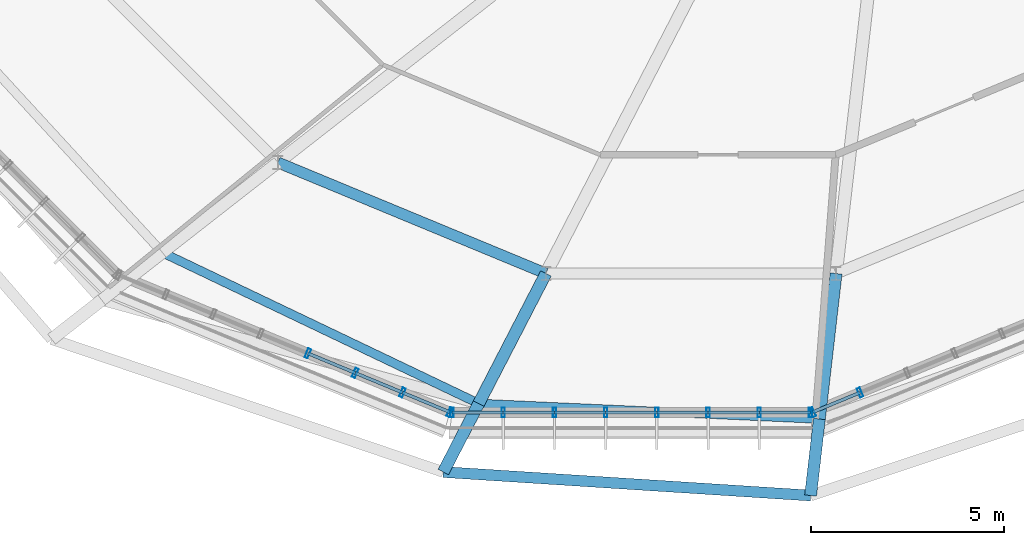
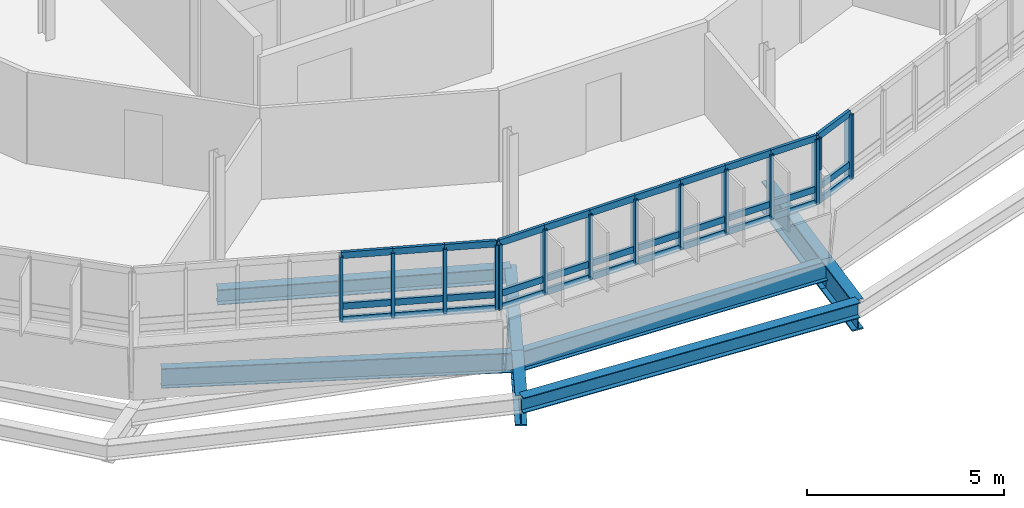
# One storey, part 7 of 31: 47 members, 8 beams, 3 elements without a shape of their own.
"""IFC4 building model written with IfcOpenShell, lengths in metres."""

from ifc_helpers import new_model, si_unit, derived_unit, direction, frame, origin, origin_2d, place, context, subcontext, project, spatial, hollow_rectangle, i_section, extrude, material, layer, layer_set, material_profile, profile_set, type_object, element, aggregate, save


model = new_model("IFC4")

# Units and contexts
model_context = context("Model", 3, precision=1e-05, world=origin(), true_north=direction((0.0, 1.0)))
body_context = subcontext(model_context, "Body", "Model", "MODEL_VIEW")
ifc_project = project(units=[si_unit("LENGTHUNIT", "METRE"), si_unit("AREAUNIT", "SQUARE_METRE"), si_unit("VOLUMEUNIT", "CUBIC_METRE"), si_unit("PLANEANGLEUNIT", "RADIAN"), si_unit("MASSUNIT", "GRAM", prefix="KILO"), derived_unit("THERMALTRANSMITTANCEUNIT", [(si_unit("MASSUNIT", "GRAM", prefix="KILO"), 1), (si_unit("TIMEUNIT", "SECOND"), -3), (si_unit("THERMODYNAMICTEMPERATUREUNIT", "KELVIN"), -1)])], contexts=[model_context])

# Site, building, storey
site_placement = place(None, origin())
site = spatial("IfcSite", under=ifc_project, at=site_placement, CompositionType="ELEMENT")
building_placement = place(site_placement, origin())
building = spatial("IfcBuilding", under=site, at=building_placement, Name="Makaiwela Harbour Ferry Terminal", CompositionType="ELEMENT")
storey_placement = place(building_placement, frame((0.0, 0.0, 21.60009765625)))
storey = spatial("IfcBuildingStorey", under=building, at=storey_placement, Name="L05", CompositionType="ELEMENT", Elevation=21.60009765625)

# Curtain wall, members
ifc_material_1 = material(Name="Marine anodised aluminium 6063-T6", Category="aluminium")
ifc_layer = layer(ifc_material_1, 0.199951171875)
ifc_layer_set = layer_set([ifc_layer], Name="Marine anodised aluminium 6063-T6")
curtain_wall_type = type_object("IfcCurtainWallType", Name="ENV-CW-07", PredefinedType="USERDEFINED", material=ifc_layer_set)
curtain_wall_1_placement = place(storey_placement, origin())
curtain_wall_1 = element("IfcCurtainWall", 1, at=curtain_wall_1_placement, inside=storey, type_object=curtain_wall_type, Name="Unitised Curtain Wall CWA-066", ObjectType="UNITIZED CURTAIN WALL", PredefinedType="USERDEFINED")
ifc_material_profile_1 = material_profile(ifc_material_1, hollow_rectangle(XDim=0.0849609375, YDim=0.25, WallThickness=0.0048828125, at=origin_2d()), Name="CWM-250X85")
ifc_profile_set_1 = profile_set([ifc_material_profile_1], Name="Marine anodised aluminium 6063-T6")
member_type_1 = type_object("IfcMemberType", Name="CW-MUL-250", PredefinedType="MULLION", material=ifc_profile_set_1)
member_1_placement = place(storey_placement, frame((27.156005859375, 47.0986328125, 1.47998046875), z_axis=(0.0, 0.0, 1.0), x_axis=(-0.923879532511, 0.382683432365, 0.0)))
member_1 = element("IfcMember", 2, at=member_1_placement, type_object=member_type_1, Name="Curtain Wall Mullion CWA-066-5", PredefinedType="MULLION", context=body_context, shape_type="SweptSolid", body=[
    extrude(hollow_rectangle(XDim=0.0849609375, YDim=0.25, WallThickness=0.0048828125, at=origin_2d()), origin(), (0.0, 0.0, 1.0), 2.0),
])
member_2_placement = place(storey_placement, frame((28.384033203125, 46.590087890625, 1.47998046875), z_axis=(0.0, 0.0, 1.0), x_axis=(-0.923879532511, 0.382683432365, 0.0)))
member_2 = element("IfcMember", 3, at=member_2_placement, type_object=member_type_1, Name="Curtain Wall Mullion CWA-066-6", PredefinedType="MULLION", context=body_context, shape_type="SweptSolid", body=[
    extrude(hollow_rectangle(XDim=0.0849609375, YDim=0.25, WallThickness=0.0048828125, at=origin_2d()), origin(), (0.0, 0.0, 1.0), 2.0),
])
member_3_placement = place(storey_placement, frame((29.612060546875, 46.081298828125, 1.47998046875), z_axis=(0.0, 0.0, 1.0), x_axis=(-0.923879532511, 0.382683432365, 0.0)))
member_3 = element("IfcMember", 4, at=member_3_placement, type_object=member_type_1, Name="Curtain Wall Mullion CWA-066-7", PredefinedType="MULLION", context=body_context, shape_type="SweptSolid", body=[
    extrude(hollow_rectangle(XDim=0.0849609375, YDim=0.25, WallThickness=0.0048828125, at=origin_2d()), origin(), (0.0, 0.0, 1.0), 2.0),
])
member_4_placement = place(storey_placement, frame((30.840087890625, 45.57275390625, 1.47998046875), z_axis=(0.0, 0.0, 1.0), x_axis=(-0.923879532511, 0.382683432365, 0.0)))
member_4 = element("IfcMember", 5, at=member_4_placement, type_object=member_type_1, Name="Curtain Wall Mullion CWA-066-8", PredefinedType="MULLION", context=body_context, shape_type="SweptSolid", body=[
    extrude(hollow_rectangle(XDim=0.0849609375, YDim=0.25, WallThickness=0.0048828125, at=origin_2d()), origin(), (0.0, 0.0, 1.0), 2.0),
])

curtain_wall_2_placement = place(storey_placement, origin())
curtain_wall_2 = element("IfcCurtainWall", 6, at=curtain_wall_2_placement, inside=storey, type_object=curtain_wall_type, Name="Unitised Curtain Wall CWA-067", ObjectType="UNITIZED CURTAIN WALL", PredefinedType="USERDEFINED")
member_5_placement = place(storey_placement, frame((30.897705078125, 45.561279296875, 1.47998046875), z_axis=(0.0, 0.0, 1.0), x_axis=(1.0, 0.0, 0.0)))
member_5 = element("IfcMember", 7, at=member_5_placement, type_object=member_type_1, Name="Curtain Wall Mullion CWA-067-1", PredefinedType="MULLION", context=body_context, shape_type="SweptSolid", body=[
    extrude(hollow_rectangle(XDim=0.0849609375, YDim=0.25, WallThickness=0.0048828125, at=origin_2d()), origin(), (0.0, 0.0, 1.0), 2.0),
])
member_6_placement = place(storey_placement, frame((32.22705078125, 45.561279296875, 1.47998046875), z_axis=(0.0, 0.0, 1.0), x_axis=(1.0, 0.0, 0.0)))
member_6 = element("IfcMember", 8, at=member_6_placement, type_object=member_type_1, Name="Curtain Wall Mullion CWA-067-2", PredefinedType="MULLION", context=body_context, shape_type="SweptSolid", body=[
    extrude(hollow_rectangle(XDim=0.0849609375, YDim=0.25, WallThickness=0.0048828125, at=origin_2d()), origin(), (0.0, 0.0, 1.0), 2.0),
])
member_7_placement = place(storey_placement, frame((33.55615234375, 45.561279296875, 1.47998046875), z_axis=(0.0, 0.0, 1.0), x_axis=(1.0, 0.0, 0.0)))
member_7 = element("IfcMember", 9, at=member_7_placement, type_object=member_type_1, Name="Curtain Wall Mullion CWA-067-3", PredefinedType="MULLION", context=body_context, shape_type="SweptSolid", body=[
    extrude(hollow_rectangle(XDim=0.0849609375, YDim=0.25, WallThickness=0.0048828125, at=origin_2d()), origin(), (0.0, 0.0, 1.0), 2.0),
])
member_8_placement = place(storey_placement, frame((34.885498046875, 45.561279296875, 1.47998046875), z_axis=(0.0, 0.0, 1.0), x_axis=(1.0, 0.0, 0.0)))
member_8 = element("IfcMember", 10, at=member_8_placement, type_object=member_type_1, Name="Curtain Wall Mullion CWA-067-4", PredefinedType="MULLION", context=body_context, shape_type="SweptSolid", body=[
    extrude(hollow_rectangle(XDim=0.0849609375, YDim=0.25, WallThickness=0.0048828125, at=origin_2d()), origin(), (0.0, 0.0, 1.0), 2.0),
])
member_9_placement = place(storey_placement, frame((36.214599609375, 45.561279296875, 1.47998046875), z_axis=(0.0, 0.0, 1.0), x_axis=(1.0, 0.0, 0.0)))
member_9 = element("IfcMember", 11, at=member_9_placement, type_object=member_type_1, Name="Curtain Wall Mullion CWA-067-5", PredefinedType="MULLION", context=body_context, shape_type="SweptSolid", body=[
    extrude(hollow_rectangle(XDim=0.0849609375, YDim=0.25, WallThickness=0.0048828125, at=origin_2d()), origin(), (0.0, 0.0, 1.0), 2.0),
])
member_10_placement = place(storey_placement, frame((37.543701171875, 45.561279296875, 1.47998046875), z_axis=(0.0, 0.0, 1.0), x_axis=(1.0, 0.0, 0.0)))
member_10 = element("IfcMember", 12, at=member_10_placement, type_object=member_type_1, Name="Curtain Wall Mullion CWA-067-6", PredefinedType="MULLION", context=body_context, shape_type="SweptSolid", body=[
    extrude(hollow_rectangle(XDim=0.0849609375, YDim=0.25, WallThickness=0.0048828125, at=origin_2d()), origin(), (0.0, 0.0, 1.0), 2.0),
])
member_11_placement = place(storey_placement, frame((38.873046875, 45.561279296875, 1.47998046875), z_axis=(0.0, 0.0, 1.0), x_axis=(1.0, 0.0, 0.0)))
member_11 = element("IfcMember", 13, at=member_11_placement, type_object=member_type_1, Name="Curtain Wall Mullion CWA-067-7", PredefinedType="MULLION", context=body_context, shape_type="SweptSolid", body=[
    extrude(hollow_rectangle(XDim=0.0849609375, YDim=0.25, WallThickness=0.0048828125, at=origin_2d()), origin(), (0.0, 0.0, 1.0), 2.0),
])
member_12_placement = place(storey_placement, frame((40.2021484375, 45.561279296875, 1.47998046875), z_axis=(0.0, 0.0, 1.0), x_axis=(1.0, 0.0, 0.0)))
member_12 = element("IfcMember", 14, at=member_12_placement, type_object=member_type_1, Name="Curtain Wall Mullion CWA-067-8", PredefinedType="MULLION", context=body_context, shape_type="SweptSolid", body=[
    extrude(hollow_rectangle(XDim=0.0849609375, YDim=0.25, WallThickness=0.0048828125, at=origin_2d()), origin(), (0.0, 0.0, 1.0), 2.0),
])

curtain_wall_3_placement = place(storey_placement, origin())
curtain_wall_3 = element("IfcCurtainWall", 15, at=curtain_wall_3_placement, inside=storey, type_object=curtain_wall_type, Name="Unitised Curtain Wall CWA-068", ObjectType="UNITIZED CURTAIN WALL", PredefinedType="USERDEFINED")
member_13_placement = place(storey_placement, frame((40.260009765625, 45.57275390625, 1.47998046875), z_axis=(0.0, 0.0, 1.0), x_axis=(0.923879532511, 0.382683432365, 0.0)))
member_13 = element("IfcMember", 16, at=member_13_placement, type_object=member_type_1, Name="Curtain Wall Mullion CWA-068-1", PredefinedType="MULLION", context=body_context, shape_type="SweptSolid", body=[
    extrude(hollow_rectangle(XDim=0.0849609375, YDim=0.25, WallThickness=0.0048828125, at=origin_2d()), origin(), (0.0, 0.0, 1.0), 2.0),
])
member_14_placement = place(storey_placement, frame((41.48779296875, 46.081298828125, 1.47998046875), z_axis=(0.0, 0.0, 1.0), x_axis=(0.923879532511, 0.382683432365, 0.0)))
member_14 = element("IfcMember", 17, at=member_14_placement, type_object=member_type_1, Name="Curtain Wall Mullion CWA-068-2", PredefinedType="MULLION", context=body_context, shape_type="SweptSolid", body=[
    extrude(hollow_rectangle(XDim=0.0849609375, YDim=0.25, WallThickness=0.0048828125, at=origin_2d()), origin(), (0.0, 0.0, 1.0), 2.0),
])

# Member
ifc_material_profile_2 = material_profile(ifc_material_1, hollow_rectangle(XDim=0.0849609375, YDim=0.199951171875, WallThickness=0.0048828125, at=origin_2d()), Name="CWT-200X85")
ifc_profile_set_2 = profile_set([ifc_material_profile_2], Name="Marine anodised aluminium 6063-T6")
member_type_2 = type_object("IfcMemberType", Name="CW-TRN-200", PredefinedType="USERDEFINED", material=ifc_profile_set_2)
member_15_placement = place(storey_placement, frame((27.156005859375, 47.0986328125, 1.47998046875), z_axis=(0.923911624209, -0.382605946964, 0.0), x_axis=(0.382605946964, 0.923911624209, 0.0)))
member_15 = element("IfcMember", 18, at=member_15_placement, type_object=member_type_2, Name="Curtain Wall Transom CWA-066-5-1", ObjectType="TRANSOM", PredefinedType="USERDEFINED", context=body_context, shape_type="SweptSolid", body=[
    extrude(hollow_rectangle(XDim=0.0849609375, YDim=0.199951171875, WallThickness=0.0048828125, at=origin_2d()), origin(), (0.0, 0.0, 1.0), 1.3291015625),
])

member_16_placement = place(storey_placement, frame((27.156005859375, 47.0986328125, 1.89990234375), z_axis=(0.923911624209, -0.382605946964, 0.0), x_axis=(0.382605946964, 0.923911624209, 0.0)))
member_16 = element("IfcMember", 19, at=member_16_placement, type_object=member_type_2, Name="Curtain Wall Transom CWA-066-5-2", ObjectType="TRANSOM", PredefinedType="USERDEFINED", context=body_context, shape_type="SweptSolid", body=[
    extrude(hollow_rectangle(XDim=0.0849609375, YDim=0.199951171875, WallThickness=0.0048828125, at=origin_2d()), origin(), (0.0, 0.0, 1.0), 1.3291015625),
])

member_17_placement = place(storey_placement, frame((27.156005859375, 47.0986328125, 3.47998046875), z_axis=(0.923911624209, -0.382605946964, 0.0), x_axis=(0.382605946964, 0.923911624209, 0.0)))
member_17 = element("IfcMember", 20, at=member_17_placement, type_object=member_type_2, Name="Curtain Wall Transom CWA-066-5-3", ObjectType="TRANSOM", PredefinedType="USERDEFINED", context=body_context, shape_type="SweptSolid", body=[
    extrude(hollow_rectangle(XDim=0.0849609375, YDim=0.199951171875, WallThickness=0.0048828125, at=origin_2d()), origin(), (0.0, 0.0, 1.0), 1.3291015625),
])

member_18_placement = place(storey_placement, frame((28.384033203125, 46.590087890625, 1.47998046875), z_axis=(0.923846685591, -0.382762722221, 0.0), x_axis=(0.382762722221, 0.923846685591, 0.0)))
member_18 = element("IfcMember", 21, at=member_18_placement, type_object=member_type_2, Name="Curtain Wall Transom CWA-066-6-1", ObjectType="TRANSOM", PredefinedType="USERDEFINED", context=body_context, shape_type="SweptSolid", body=[
    extrude(hollow_rectangle(XDim=0.0849609375, YDim=0.199951171875, WallThickness=0.0048828125, at=origin_2d()), origin(), (0.0, 0.0, 1.0), 1.329345703125),
])

member_19_placement = place(storey_placement, frame((28.384033203125, 46.590087890625, 1.89990234375), z_axis=(0.923846685591, -0.382762722221, 0.0), x_axis=(0.382762722221, 0.923846685591, 0.0)))
member_19 = element("IfcMember", 22, at=member_19_placement, type_object=member_type_2, Name="Curtain Wall Transom CWA-066-6-2", ObjectType="TRANSOM", PredefinedType="USERDEFINED", context=body_context, shape_type="SweptSolid", body=[
    extrude(hollow_rectangle(XDim=0.0849609375, YDim=0.199951171875, WallThickness=0.0048828125, at=origin_2d()), origin(), (0.0, 0.0, 1.0), 1.329345703125),
])

member_20_placement = place(storey_placement, frame((28.384033203125, 46.590087890625, 3.47998046875), z_axis=(0.923846685591, -0.382762722221, 0.0), x_axis=(0.382762722221, 0.923846685591, 0.0)))
member_20 = element("IfcMember", 23, at=member_20_placement, type_object=member_type_2, Name="Curtain Wall Transom CWA-066-6-3", ObjectType="TRANSOM", PredefinedType="USERDEFINED", context=body_context, shape_type="SweptSolid", body=[
    extrude(hollow_rectangle(XDim=0.0849609375, YDim=0.199951171875, WallThickness=0.0048828125, at=origin_2d()), origin(), (0.0, 0.0, 1.0), 1.329345703125),
])

member_21_placement = place(storey_placement, frame((29.612060546875, 46.081298828125, 1.47998046875), z_axis=(0.923911624209, -0.382605946964, 0.0), x_axis=(0.382605946964, 0.923911624209, 0.0)))
member_21 = element("IfcMember", 24, at=member_21_placement, type_object=member_type_2, Name="Curtain Wall Transom CWA-066-7-1", ObjectType="TRANSOM", PredefinedType="USERDEFINED", context=body_context, shape_type="SweptSolid", body=[
    extrude(hollow_rectangle(XDim=0.0849609375, YDim=0.199951171875, WallThickness=0.0048828125, at=origin_2d()), origin(), (0.0, 0.0, 1.0), 1.3291015625),
])

member_22_placement = place(storey_placement, frame((29.612060546875, 46.081298828125, 1.89990234375), z_axis=(0.923911624209, -0.382605946964, 0.0), x_axis=(0.382605946964, 0.923911624209, 0.0)))
member_22 = element("IfcMember", 25, at=member_22_placement, type_object=member_type_2, Name="Curtain Wall Transom CWA-066-7-2", ObjectType="TRANSOM", PredefinedType="USERDEFINED", context=body_context, shape_type="SweptSolid", body=[
    extrude(hollow_rectangle(XDim=0.0849609375, YDim=0.199951171875, WallThickness=0.0048828125, at=origin_2d()), origin(), (0.0, 0.0, 1.0), 1.3291015625),
])

member_23_placement = place(storey_placement, frame((29.612060546875, 46.081298828125, 3.47998046875), z_axis=(0.923911624209, -0.382605946964, 0.0), x_axis=(0.382605946964, 0.923911624209, 0.0)))
member_23 = element("IfcMember", 26, at=member_23_placement, type_object=member_type_2, Name="Curtain Wall Transom CWA-066-7-3", ObjectType="TRANSOM", PredefinedType="USERDEFINED", context=body_context, shape_type="SweptSolid", body=[
    extrude(hollow_rectangle(XDim=0.0849609375, YDim=0.199951171875, WallThickness=0.0048828125, at=origin_2d()), origin(), (0.0, 0.0, 1.0), 1.3291015625),
])

aggregate(curtain_wall_1, [member_1, member_2, member_3, member_4, member_15, member_16, member_17, member_18, member_19, member_20, member_21, member_22, member_23])

member_24_placement = place(storey_placement, frame((30.897705078125, 45.561279296875, 1.47998046875), z_axis=(1.0, 0.0, 0.0), x_axis=(0.0, 1.0, 0.0)))
member_24 = element("IfcMember", 27, at=member_24_placement, type_object=member_type_2, Name="Curtain Wall Transom CWA-067-1-1", ObjectType="TRANSOM", PredefinedType="USERDEFINED", context=body_context, shape_type="SweptSolid", body=[
    extrude(hollow_rectangle(XDim=0.0849609375, YDim=0.199951171875, WallThickness=0.0048828125, at=origin_2d()), origin(), (0.0, 0.0, 1.0), 1.329345703125),
])

member_25_placement = place(storey_placement, frame((30.897705078125, 45.561279296875, 1.89990234375), z_axis=(1.0, 0.0, 0.0), x_axis=(0.0, 1.0, 0.0)))
member_25 = element("IfcMember", 28, at=member_25_placement, type_object=member_type_2, Name="Curtain Wall Transom CWA-067-1-2", ObjectType="TRANSOM", PredefinedType="USERDEFINED", context=body_context, shape_type="SweptSolid", body=[
    extrude(hollow_rectangle(XDim=0.0849609375, YDim=0.199951171875, WallThickness=0.0048828125, at=origin_2d()), origin(), (0.0, 0.0, 1.0), 1.329345703125),
])

member_26_placement = place(storey_placement, frame((30.897705078125, 45.561279296875, 3.47998046875), z_axis=(1.0, 0.0, 0.0), x_axis=(0.0, 1.0, 0.0)))
member_26 = element("IfcMember", 29, at=member_26_placement, type_object=member_type_2, Name="Curtain Wall Transom CWA-067-1-3", ObjectType="TRANSOM", PredefinedType="USERDEFINED", context=body_context, shape_type="SweptSolid", body=[
    extrude(hollow_rectangle(XDim=0.0849609375, YDim=0.199951171875, WallThickness=0.0048828125, at=origin_2d()), origin(), (0.0, 0.0, 1.0), 1.329345703125),
])

member_27_placement = place(storey_placement, frame((32.22705078125, 45.561279296875, 1.47998046875), z_axis=(1.0, 0.0, 0.0), x_axis=(0.0, 1.0, 0.0)))
member_27 = element("IfcMember", 30, at=member_27_placement, type_object=member_type_2, Name="Curtain Wall Transom CWA-067-2-1", ObjectType="TRANSOM", PredefinedType="USERDEFINED", context=body_context, shape_type="SweptSolid", body=[
    extrude(hollow_rectangle(XDim=0.0849609375, YDim=0.199951171875, WallThickness=0.0048828125, at=origin_2d()), origin(), (0.0, 0.0, 1.0), 1.3291015625),
])

member_28_placement = place(storey_placement, frame((32.22705078125, 45.561279296875, 1.89990234375), z_axis=(1.0, 0.0, 0.0), x_axis=(0.0, 1.0, 0.0)))
member_28 = element("IfcMember", 31, at=member_28_placement, type_object=member_type_2, Name="Curtain Wall Transom CWA-067-2-2", ObjectType="TRANSOM", PredefinedType="USERDEFINED", context=body_context, shape_type="SweptSolid", body=[
    extrude(hollow_rectangle(XDim=0.0849609375, YDim=0.199951171875, WallThickness=0.0048828125, at=origin_2d()), origin(), (0.0, 0.0, 1.0), 1.3291015625),
])

member_29_placement = place(storey_placement, frame((32.22705078125, 45.561279296875, 3.47998046875), z_axis=(1.0, 0.0, 0.0), x_axis=(0.0, 1.0, 0.0)))
member_29 = element("IfcMember", 32, at=member_29_placement, type_object=member_type_2, Name="Curtain Wall Transom CWA-067-2-3", ObjectType="TRANSOM", PredefinedType="USERDEFINED", context=body_context, shape_type="SweptSolid", body=[
    extrude(hollow_rectangle(XDim=0.0849609375, YDim=0.199951171875, WallThickness=0.0048828125, at=origin_2d()), origin(), (0.0, 0.0, 1.0), 1.3291015625),
])

member_30_placement = place(storey_placement, frame((33.55615234375, 45.561279296875, 1.47998046875), z_axis=(1.0, 0.0, 0.0), x_axis=(0.0, 1.0, 0.0)))
member_30 = element("IfcMember", 33, at=member_30_placement, type_object=member_type_2, Name="Curtain Wall Transom CWA-067-3-1", ObjectType="TRANSOM", PredefinedType="USERDEFINED", context=body_context, shape_type="SweptSolid", body=[
    extrude(hollow_rectangle(XDim=0.0849609375, YDim=0.199951171875, WallThickness=0.0048828125, at=origin_2d()), origin(), (0.0, 0.0, 1.0), 1.329345703125),
])

member_31_placement = place(storey_placement, frame((33.55615234375, 45.561279296875, 1.89990234375), z_axis=(1.0, 0.0, 0.0), x_axis=(0.0, 1.0, 0.0)))
member_31 = element("IfcMember", 34, at=member_31_placement, type_object=member_type_2, Name="Curtain Wall Transom CWA-067-3-2", ObjectType="TRANSOM", PredefinedType="USERDEFINED", context=body_context, shape_type="SweptSolid", body=[
    extrude(hollow_rectangle(XDim=0.0849609375, YDim=0.199951171875, WallThickness=0.0048828125, at=origin_2d()), origin(), (0.0, 0.0, 1.0), 1.329345703125),
])

member_32_placement = place(storey_placement, frame((33.55615234375, 45.561279296875, 3.47998046875), z_axis=(1.0, 0.0, 0.0), x_axis=(0.0, 1.0, 0.0)))
member_32 = element("IfcMember", 35, at=member_32_placement, type_object=member_type_2, Name="Curtain Wall Transom CWA-067-3-3", ObjectType="TRANSOM", PredefinedType="USERDEFINED", context=body_context, shape_type="SweptSolid", body=[
    extrude(hollow_rectangle(XDim=0.0849609375, YDim=0.199951171875, WallThickness=0.0048828125, at=origin_2d()), origin(), (0.0, 0.0, 1.0), 1.329345703125),
])

member_33_placement = place(storey_placement, frame((34.885498046875, 45.561279296875, 1.47998046875), z_axis=(1.0, 0.0, 0.0), x_axis=(0.0, 1.0, 0.0)))
member_33 = element("IfcMember", 36, at=member_33_placement, type_object=member_type_2, Name="Curtain Wall Transom CWA-067-4-1", ObjectType="TRANSOM", PredefinedType="USERDEFINED", context=body_context, shape_type="SweptSolid", body=[
    extrude(hollow_rectangle(XDim=0.0849609375, YDim=0.199951171875, WallThickness=0.0048828125, at=origin_2d()), origin(), (0.0, 0.0, 1.0), 1.3291015625),
])

member_34_placement = place(storey_placement, frame((34.885498046875, 45.561279296875, 1.89990234375), z_axis=(1.0, 0.0, 0.0), x_axis=(0.0, 1.0, 0.0)))
member_34 = element("IfcMember", 37, at=member_34_placement, type_object=member_type_2, Name="Curtain Wall Transom CWA-067-4-2", ObjectType="TRANSOM", PredefinedType="USERDEFINED", context=body_context, shape_type="SweptSolid", body=[
    extrude(hollow_rectangle(XDim=0.0849609375, YDim=0.199951171875, WallThickness=0.0048828125, at=origin_2d()), origin(), (0.0, 0.0, 1.0), 1.3291015625),
])

member_35_placement = place(storey_placement, frame((34.885498046875, 45.561279296875, 3.47998046875), z_axis=(1.0, 0.0, 0.0), x_axis=(0.0, 1.0, 0.0)))
member_35 = element("IfcMember", 38, at=member_35_placement, type_object=member_type_2, Name="Curtain Wall Transom CWA-067-4-3", ObjectType="TRANSOM", PredefinedType="USERDEFINED", context=body_context, shape_type="SweptSolid", body=[
    extrude(hollow_rectangle(XDim=0.0849609375, YDim=0.199951171875, WallThickness=0.0048828125, at=origin_2d()), origin(), (0.0, 0.0, 1.0), 1.3291015625),
])

member_36_placement = place(storey_placement, frame((36.214599609375, 45.561279296875, 1.47998046875), z_axis=(1.0, 0.0, 0.0), x_axis=(0.0, 1.0, 0.0)))
member_36 = element("IfcMember", 39, at=member_36_placement, type_object=member_type_2, Name="Curtain Wall Transom CWA-067-5-1", ObjectType="TRANSOM", PredefinedType="USERDEFINED", context=body_context, shape_type="SweptSolid", body=[
    extrude(hollow_rectangle(XDim=0.0849609375, YDim=0.199951171875, WallThickness=0.0048828125, at=origin_2d()), origin(), (0.0, 0.0, 1.0), 1.3291015625),
])

member_37_placement = place(storey_placement, frame((36.214599609375, 45.561279296875, 1.89990234375), z_axis=(1.0, 0.0, 0.0), x_axis=(0.0, 1.0, 0.0)))
member_37 = element("IfcMember", 40, at=member_37_placement, type_object=member_type_2, Name="Curtain Wall Transom CWA-067-5-2", ObjectType="TRANSOM", PredefinedType="USERDEFINED", context=body_context, shape_type="SweptSolid", body=[
    extrude(hollow_rectangle(XDim=0.0849609375, YDim=0.199951171875, WallThickness=0.0048828125, at=origin_2d()), origin(), (0.0, 0.0, 1.0), 1.3291015625),
])

member_38_placement = place(storey_placement, frame((36.214599609375, 45.561279296875, 3.47998046875), z_axis=(1.0, 0.0, 0.0), x_axis=(0.0, 1.0, 0.0)))
member_38 = element("IfcMember", 41, at=member_38_placement, type_object=member_type_2, Name="Curtain Wall Transom CWA-067-5-3", ObjectType="TRANSOM", PredefinedType="USERDEFINED", context=body_context, shape_type="SweptSolid", body=[
    extrude(hollow_rectangle(XDim=0.0849609375, YDim=0.199951171875, WallThickness=0.0048828125, at=origin_2d()), origin(), (0.0, 0.0, 1.0), 1.3291015625),
])

member_39_placement = place(storey_placement, frame((37.543701171875, 45.561279296875, 1.47998046875), z_axis=(1.0, 0.0, 0.0), x_axis=(0.0, 1.0, 0.0)))
member_39 = element("IfcMember", 42, at=member_39_placement, type_object=member_type_2, Name="Curtain Wall Transom CWA-067-6-1", ObjectType="TRANSOM", PredefinedType="USERDEFINED", context=body_context, shape_type="SweptSolid", body=[
    extrude(hollow_rectangle(XDim=0.0849609375, YDim=0.199951171875, WallThickness=0.0048828125, at=origin_2d()), origin(), (0.0, 0.0, 1.0), 1.329345703125),
])

member_40_placement = place(storey_placement, frame((37.543701171875, 45.561279296875, 1.89990234375), z_axis=(1.0, 0.0, 0.0), x_axis=(0.0, 1.0, 0.0)))
member_40 = element("IfcMember", 43, at=member_40_placement, type_object=member_type_2, Name="Curtain Wall Transom CWA-067-6-2", ObjectType="TRANSOM", PredefinedType="USERDEFINED", context=body_context, shape_type="SweptSolid", body=[
    extrude(hollow_rectangle(XDim=0.0849609375, YDim=0.199951171875, WallThickness=0.0048828125, at=origin_2d()), origin(), (0.0, 0.0, 1.0), 1.329345703125),
])

member_41_placement = place(storey_placement, frame((37.543701171875, 45.561279296875, 3.47998046875), z_axis=(1.0, 0.0, 0.0), x_axis=(0.0, 1.0, 0.0)))
member_41 = element("IfcMember", 44, at=member_41_placement, type_object=member_type_2, Name="Curtain Wall Transom CWA-067-6-3", ObjectType="TRANSOM", PredefinedType="USERDEFINED", context=body_context, shape_type="SweptSolid", body=[
    extrude(hollow_rectangle(XDim=0.0849609375, YDim=0.199951171875, WallThickness=0.0048828125, at=origin_2d()), origin(), (0.0, 0.0, 1.0), 1.329345703125),
])

member_42_placement = place(storey_placement, frame((38.873046875, 45.561279296875, 1.47998046875), z_axis=(1.0, 0.0, 0.0), x_axis=(0.0, 1.0, 0.0)))
member_42 = element("IfcMember", 45, at=member_42_placement, type_object=member_type_2, Name="Curtain Wall Transom CWA-067-7-1", ObjectType="TRANSOM", PredefinedType="USERDEFINED", context=body_context, shape_type="SweptSolid", body=[
    extrude(hollow_rectangle(XDim=0.0849609375, YDim=0.199951171875, WallThickness=0.0048828125, at=origin_2d()), origin(), (0.0, 0.0, 1.0), 1.3291015625),
])

member_43_placement = place(storey_placement, frame((38.873046875, 45.561279296875, 1.89990234375), z_axis=(1.0, 0.0, 0.0), x_axis=(0.0, 1.0, 0.0)))
member_43 = element("IfcMember", 46, at=member_43_placement, type_object=member_type_2, Name="Curtain Wall Transom CWA-067-7-2", ObjectType="TRANSOM", PredefinedType="USERDEFINED", context=body_context, shape_type="SweptSolid", body=[
    extrude(hollow_rectangle(XDim=0.0849609375, YDim=0.199951171875, WallThickness=0.0048828125, at=origin_2d()), origin(), (0.0, 0.0, 1.0), 1.3291015625),
])

member_44_placement = place(storey_placement, frame((38.873046875, 45.561279296875, 3.47998046875), z_axis=(1.0, 0.0, 0.0), x_axis=(0.0, 1.0, 0.0)))
member_44 = element("IfcMember", 47, at=member_44_placement, type_object=member_type_2, Name="Curtain Wall Transom CWA-067-7-3", ObjectType="TRANSOM", PredefinedType="USERDEFINED", context=body_context, shape_type="SweptSolid", body=[
    extrude(hollow_rectangle(XDim=0.0849609375, YDim=0.199951171875, WallThickness=0.0048828125, at=origin_2d()), origin(), (0.0, 0.0, 1.0), 1.3291015625),
])

aggregate(curtain_wall_2, [member_5, member_6, member_7, member_8, member_9, member_10, member_11, member_12, member_24, member_25, member_26, member_27, member_28, member_29, member_30, member_31, member_32, member_33, member_34, member_35, member_36, member_37, member_38, member_39, member_40, member_41, member_42, member_43, member_44])

member_45_placement = place(storey_placement, frame((40.260009765625, 45.57275390625, 1.47998046875), z_axis=(0.923884728906, 0.382670886918, 0.0), x_axis=(-0.382670886918, 0.923884728906, 0.0)))
member_45 = element("IfcMember", 48, at=member_45_placement, type_object=member_type_2, Name="Curtain Wall Transom CWA-068-1-1", ObjectType="TRANSOM", PredefinedType="USERDEFINED", context=body_context, shape_type="SweptSolid", body=[
    extrude(hollow_rectangle(XDim=0.0849609375, YDim=0.199951171875, WallThickness=0.0048828125, at=origin_2d()), origin(), (0.0, 0.0, 1.0), 1.328857421875),
])

member_46_placement = place(storey_placement, frame((40.260009765625, 45.57275390625, 1.89990234375), z_axis=(0.923884728906, 0.382670886918, 0.0), x_axis=(-0.382670886918, 0.923884728906, 0.0)))
member_46 = element("IfcMember", 49, at=member_46_placement, type_object=member_type_2, Name="Curtain Wall Transom CWA-068-1-2", ObjectType="TRANSOM", PredefinedType="USERDEFINED", context=body_context, shape_type="SweptSolid", body=[
    extrude(hollow_rectangle(XDim=0.0849609375, YDim=0.199951171875, WallThickness=0.0048828125, at=origin_2d()), origin(), (0.0, 0.0, 1.0), 1.328857421875),
])

member_47_placement = place(storey_placement, frame((40.260009765625, 45.57275390625, 3.47998046875), z_axis=(0.923884728906, 0.382670886918, 0.0), x_axis=(-0.382670886918, 0.923884728906, 0.0)))
member_47 = element("IfcMember", 50, at=member_47_placement, type_object=member_type_2, Name="Curtain Wall Transom CWA-068-1-3", ObjectType="TRANSOM", PredefinedType="USERDEFINED", context=body_context, shape_type="SweptSolid", body=[
    extrude(hollow_rectangle(XDim=0.0849609375, YDim=0.199951171875, WallThickness=0.0048828125, at=origin_2d()), origin(), (0.0, 0.0, 1.0), 1.328857421875),
])

aggregate(curtain_wall_3, [member_13, member_14, member_45, member_46, member_47])

# Beams
ifc_material_2 = material(Name="Steel ASTM A992 Grade 50", Category="steel")
ifc_material_profile_3 = material_profile(ifc_material_2, i_section(OverallWidth=0.22900390625, OverallDepth=0.612060546875, WebThickness=0.011962890625, FlangeThickness=0.01953125, at=origin_2d()), Name="W24X84")
ifc_profile_set_3 = profile_set([ifc_material_profile_3], Name="Steel ASTM A992 Grade 50")
beam_type_1 = type_object("IfcBeamType", Name="STR-GRD-W24X84", PredefinedType="USERDEFINED", material=ifc_profile_set_3)
beam_1_placement = place(storey_placement, frame((23.3828125, 49.71337890625, -0.55615234375), z_axis=(0.902434308602, -0.430827481316, 0.0), x_axis=(0.430827481316, 0.902434308602, 0.0)))
element("IfcBeam", 51, at=beam_1_placement, inside=storey, type_object=beam_type_1, Name="Drum overhang tie girder 597", ObjectType="GIRDER", PredefinedType="USERDEFINED", context=body_context, shape_type="SweptSolid", body=[
    extrude(i_section(OverallWidth=0.22900390625, OverallDepth=0.612060546875, WebThickness=0.011962890625, FlangeThickness=0.01953125, at=origin_2d()), origin(), (0.0, 0.0, 1.0), 9.093994140625),
])
beam_2_placement = place(storey_placement, frame((31.589599609375, 45.79541015625, -0.55615234375), z_axis=(0.998978864761, -0.045179948658, 0.0), x_axis=(0.045179948658, 0.998978864761, 0.0)))
element("IfcBeam", 52, at=beam_2_placement, inside=storey, type_object=beam_type_1, Name="Drum overhang tie girder 599", ObjectType="GIRDER", PredefinedType="USERDEFINED", context=body_context, shape_type="SweptSolid", body=[
    extrude(i_section(OverallWidth=0.22900390625, OverallDepth=0.612060546875, WebThickness=0.011962890625, FlangeThickness=0.01953125, at=origin_2d()), origin(), (0.0, 0.0, 1.0), 8.851318359375),
])
ifc_material_profile_4 = material_profile(ifc_material_2, i_section(OverallWidth=0.31005859375, OverallDepth=0.949951171875, WebThickness=0.0244140625, FlangeThickness=0.0439453125, at=origin_2d()), Name="W36X256")
ifc_profile_set_4 = profile_set([ifc_material_profile_4], Name="Steel ASTM A992 Grade 50")
beam_type_2 = type_object("IfcBeamType", Name="STR-GRD-W36X256", PredefinedType="USERDEFINED", material=ifc_profile_set_4)
beam_3_placement = place(storey_placement, frame((33.334716796875, 49.1708984375, -0.72509765625), z_axis=(-0.459251619931, -0.888306225122, 0.0), x_axis=(0.888306225122, -0.459251619931, 0.0)))
element("IfcBeam", 53, at=beam_3_placement, inside=storey, type_object=beam_type_2, Name="Drum radial overhang 566", ObjectType="GIRDER", PredefinedType="USERDEFINED", context=body_context, shape_type="SweptSolid", body=[
    extrude(i_section(OverallWidth=0.31005859375, OverallDepth=0.949951171875, WebThickness=0.0244140625, FlangeThickness=0.0439453125, at=origin_2d()), origin(), (0.0, 0.0, 1.0), 3.7998046875),
])
beam_4_placement = place(storey_placement, frame((31.589599609375, 45.79541015625, -0.72509765625), z_axis=(-0.459329936396, -0.888265731372, 0.0), x_axis=(0.888265731372, -0.459329936396, 0.0)))
element("IfcBeam", 54, at=beam_4_placement, inside=storey, type_object=beam_type_2, Name="Drum overhang radial girder 567", ObjectType="GIRDER", PredefinedType="USERDEFINED", context=body_context, shape_type="SweptSolid", body=[
    extrude(i_section(OverallWidth=0.31005859375, OverallDepth=0.949951171875, WebThickness=0.0244140625, FlangeThickness=0.0439453125, at=origin_2d()), origin(), (0.0, 0.0, 1.0), 2.0),
])
beam_5_placement = place(storey_placement, frame((40.865234375, 49.1708984375, -0.72509765625), z_axis=(-0.114033976295, -0.993476850385, 0.0), x_axis=(0.993476850385, -0.114033976295, 0.0)))
element("IfcBeam", 55, at=beam_5_placement, inside=storey, type_object=beam_type_2, Name="Drum radial overhang 569", ObjectType="GIRDER", PredefinedType="USERDEFINED", context=body_context, shape_type="SweptSolid", body=[
    extrude(i_section(OverallWidth=0.31005859375, OverallDepth=0.949951171875, WebThickness=0.0244140625, FlangeThickness=0.0439453125, at=origin_2d()), origin(), (0.0, 0.0, 1.0), 3.80029296875),
])
beam_6_placement = place(storey_placement, frame((40.431884765625, 45.3955078125, -0.72509765625), z_axis=(-0.114021712091, -0.993478258027, 0.0), x_axis=(0.993478258027, -0.114021712091, 0.0)))
element("IfcBeam", 56, at=beam_6_placement, inside=storey, type_object=beam_type_2, Name="Drum overhang radial girder 570", ObjectType="GIRDER", PredefinedType="USERDEFINED", context=body_context, shape_type="SweptSolid", body=[
    extrude(i_section(OverallWidth=0.31005859375, OverallDepth=0.949951171875, WebThickness=0.0244140625, FlangeThickness=0.0439453125, at=origin_2d()), origin(), (0.0, 0.0, 1.0), 1.999755859375),
])
ifc_material_profile_5 = material_profile(ifc_material_2, i_section(OverallWidth=0.283935546875, OverallDepth=0.47607421875, WebThickness=0.014892578125, FlangeThickness=0.02392578125, at=origin_2d()), Name="W18X106")
ifc_profile_set_5 = profile_set([ifc_material_profile_5], Name="Steel ASTM A992 Grade 50")
beam_type_3 = type_object("IfcBeamType", Name="STR-SPN-W18X106", PredefinedType="SPANDREL", material=ifc_profile_set_5)
beam_7_placement = place(storey_placement, frame((26.37744140625, 52.052490234375, -0.488037109375), z_axis=(0.92388920519, -0.382660079618, 0.0), x_axis=(0.382660079618, 0.92388920519, 0.0)))
element("IfcBeam", 57, at=beam_7_placement, inside=storey, type_object=beam_type_3, Name="Drum column ring girder 517", PredefinedType="SPANDREL", context=body_context, shape_type="SweptSolid", body=[
    extrude(i_section(OverallWidth=0.283935546875, OverallDepth=0.47607421875, WebThickness=0.014892578125, FlangeThickness=0.02392578125, at=origin_2d()), origin(), (0.0, 0.0, 1.0), 7.530517578125),
])
beam_8_placement = place(storey_placement, frame((30.6708984375, 44.018798828125, -0.488037109375), z_axis=(0.99795828309, -0.063869125655, 0.0), x_axis=(0.063869125655, 0.99795828309, 0.0)))
element("IfcBeam", 58, at=beam_8_placement, inside=storey, type_object=beam_type_3, Name="Drum perimeter spandrel 613", PredefinedType="SPANDREL", context=body_context, shape_type="SweptSolid", body=[
    extrude(i_section(OverallWidth=0.283935546875, OverallDepth=0.47607421875, WebThickness=0.014892578125, FlangeThickness=0.02392578125, at=origin_2d()), origin(), (0.0, 0.0, 1.0), 9.552490234375),
])

save(model, "model.ifc")
